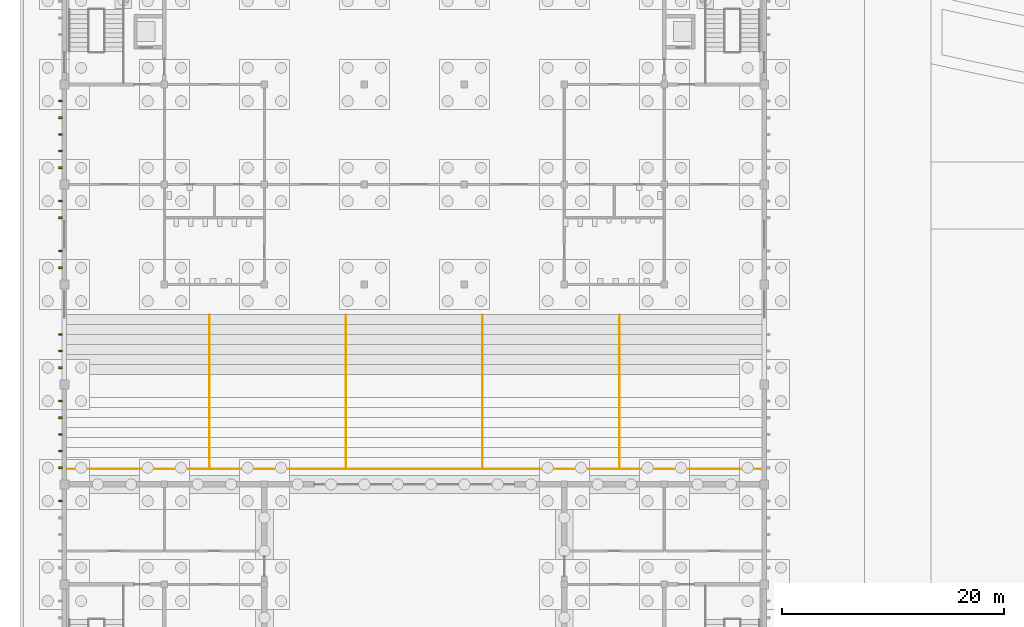
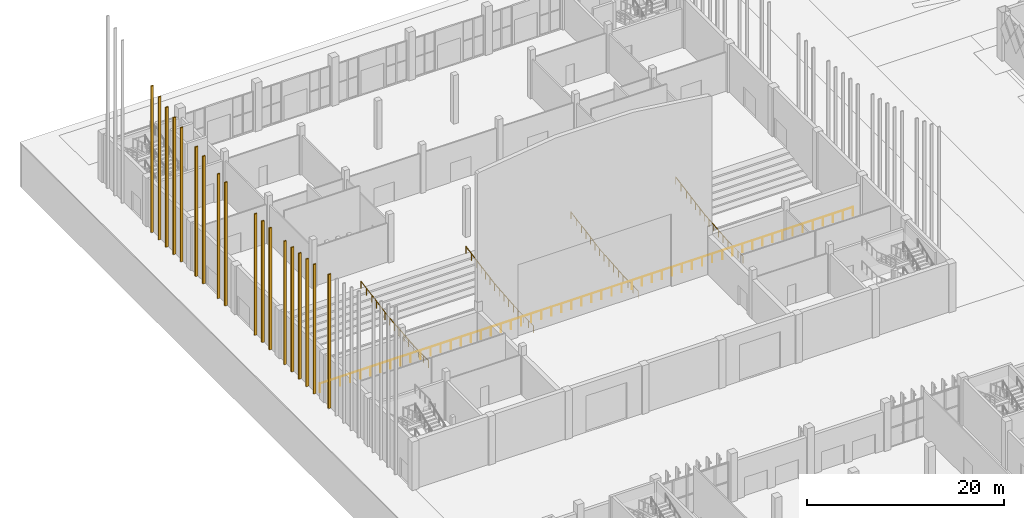
# One storey, part 166 of 198: 18 coverings, 5 railings.
"""IFC4 building model written with IfcOpenShell, lengths in metres."""

from ifc_helpers import new_model, si_unit, direction, frame, origin, origin_2d, place, context, subcontext, project, spatial, rectangle, circle, extrude, material, layer, layer_set, constituent, constituent_set, type_object, element, save


model = new_model("IFC4")

# Units and contexts
model_context = context("Model", 3, precision=1e-05, world=origin(), true_north=direction((0.0, 1.0)))
body_context = subcontext(model_context, "Body", "Model", "MODEL_VIEW")
ifc_project = project(units=[si_unit("LENGTHUNIT", "METRE"), si_unit("AREAUNIT", "SQUARE_METRE"), si_unit("VOLUMEUNIT", "CUBIC_METRE"), si_unit("PLANEANGLEUNIT", "RADIAN"), si_unit("MASSUNIT", "GRAM", prefix="KILO")], contexts=[model_context])

# Site, building, storey
site_placement = place(None, origin())
site = spatial("IfcSite", under=ifc_project, at=site_placement, CompositionType="ELEMENT")
building_placement = place(site_placement, origin())
building = spatial("IfcBuilding", under=site, at=building_placement, Name="Opaline Strait Convention Centre", CompositionType="ELEMENT")
storey_placement = place(building_placement, origin())
storey = spatial("IfcBuildingStorey", under=building, at=storey_placement, Name="L00", CompositionType="ELEMENT", Elevation=0.0)

# Railings
ifc_material_1 = material(Name="Stainless steel 304", Category="steel")
railing_type_1 = type_object("IfcRailingType", Name="Aisle handrail 900", PredefinedType="HANDRAIL", material=ifc_material_1)
railing_1_placement = place(storey_placement, frame((22.050048828125, 136.550048828125, -1.513916015625)))
element("IfcRailing", 1, at=railing_1_placement, inside=storey, type_object=railing_type_1, Name="PHR1 Stalls aisle 1 handrail", PredefinedType="HANDRAIL", context=body_context, shape_type="SweptSolid", body=[
    extrude(circle(Radius=0.02392578125, at=origin_2d()), frame((0.0, 0.0, 0.8759765625), z_axis=(0.0, 0.999956817911, 0.009293132591), x_axis=(-1.0, 0.0, 0.0)), (0.0, 0.0, 1.0), 3.10009765625),
    extrude(circle(Radius=0.02392578125, at=origin_2d()), frame((0.0, 3.099853515625, 0.90478515625), z_axis=(0.0, 0.996173176222, 0.08740139001), x_axis=(-1.0, 0.0, 0.0)), (0.0, 0.0, 1.0), 4.818603515625),
    extrude(circle(Radius=0.02392578125, at=origin_2d()), frame((0.0, 7.89990234375, 1.32568359375), z_axis=(0.0, 0.98321916049, 0.182428293985), x_axis=(-1.0, 0.0, 0.0)), (0.0, 0.0, 1.0), 3.66162109375),
    extrude(circle(Radius=0.02392578125, at=origin_2d()), frame((0.0, 11.5, 1.99365234375), z_axis=(0.0, 0.984182943118, 0.177155114165), x_axis=(-1.0, 0.0, 0.0)), (0.0, 0.0, 1.0), 2.2353515625),
    extrude(circle(Radius=0.02099609375, at=origin_2d()), origin(), (0.0, 0.0, 1.0), 0.851806640625),
    extrude(circle(Radius=0.02099609375, at=origin_2d()), frame((0.0, 1.033203125, 0.009521484375)), (0.0, 0.0, 1.0), 0.851806640625),
    extrude(circle(Radius=0.02099609375, at=origin_2d()), frame((0.0, 2.066650390625, 0.019287109375)), (0.0, 0.0, 1.0), 0.851806640625),
    extrude(circle(Radius=0.02099609375, at=origin_2d()), frame((0.0, 3.099853515625, 0.02880859375)), (0.0, 0.0, 1.0), 0.851806640625),
    extrude(circle(Radius=0.02099609375, at=origin_2d()), frame((0.0, 4.059814453125, 0.113037109375)), (0.0, 0.0, 1.0), 0.851806640625),
    extrude(circle(Radius=0.02099609375, at=origin_2d()), frame((0.0, 5.019775390625, 0.197265625)), (0.0, 0.0, 1.0), 0.851806640625),
    extrude(circle(Radius=0.02099609375, at=origin_2d()), frame((0.0, 5.97998046875, 0.281494140625)), (0.0, 0.0, 1.0), 0.851806640625),
    extrude(circle(Radius=0.02099609375, at=origin_2d()), frame((0.0, 6.93994140625, 0.36572265625)), (0.0, 0.0, 1.0), 0.851806640625),
    extrude(circle(Radius=0.02099609375, at=origin_2d()), frame((0.0, 7.89990234375, 0.449951171875)), (0.0, 0.0, 1.0), 0.851806640625),
    extrude(circle(Radius=0.02099609375, at=origin_2d()), frame((0.0, 8.7998046875, 0.616943359375)), (0.0, 0.0, 1.0), 0.851806640625),
    extrude(circle(Radius=0.02099609375, at=origin_2d()), frame((0.0, 9.699951171875, 0.783935546875)), (0.0, 0.0, 1.0), 0.851806640625),
    extrude(circle(Radius=0.02099609375, at=origin_2d()), frame((0.0, 10.60009765625, 0.950927734375)), (0.0, 0.0, 1.0), 0.851806640625),
    extrude(circle(Radius=0.02099609375, at=origin_2d()), frame((0.0, 11.5, 1.117919921875)), (0.0, 0.0, 1.0), 0.851806640625),
    extrude(circle(Radius=0.02099609375, at=origin_2d()), frame((0.0, 12.60009765625, 1.31591796875)), (0.0, 0.0, 1.0), 0.851806640625),
    extrude(circle(Radius=0.02099609375, at=origin_2d()), frame((0.0, 13.699951171875, 1.513916015625)), (0.0, 0.0, 1.0), 0.851806640625),
])
railing_2_placement = place(storey_placement, frame((34.35009765625, 136.550048828125, -1.513916015625)))
element("IfcRailing", 2, at=railing_2_placement, inside=storey, type_object=railing_type_1, Name="PHR1 Stalls aisle 2 handrail", PredefinedType="HANDRAIL", context=body_context, shape_type="SweptSolid", body=[
    extrude(circle(Radius=0.02392578125, at=origin_2d()), frame((0.0, 0.0, 0.8759765625), z_axis=(0.0, 0.999956817911, 0.009293132591), x_axis=(-1.0, 0.0, 0.0)), (0.0, 0.0, 1.0), 3.10009765625),
    extrude(circle(Radius=0.02392578125, at=origin_2d()), frame((0.0, 3.099853515625, 0.90478515625), z_axis=(0.0, 0.996173176222, 0.08740139001), x_axis=(-1.0, 0.0, 0.0)), (0.0, 0.0, 1.0), 4.818603515625),
    extrude(circle(Radius=0.02392578125, at=origin_2d()), frame((0.0, 7.89990234375, 1.32568359375), z_axis=(0.0, 0.98321916049, 0.182428293985), x_axis=(-1.0, 0.0, 0.0)), (0.0, 0.0, 1.0), 3.66162109375),
    extrude(circle(Radius=0.02392578125, at=origin_2d()), frame((0.0, 11.5, 1.99365234375), z_axis=(0.0, 0.984182943118, 0.177155114165), x_axis=(-1.0, 0.0, 0.0)), (0.0, 0.0, 1.0), 2.2353515625),
    extrude(circle(Radius=0.02099609375, at=origin_2d()), origin(), (0.0, 0.0, 1.0), 0.851806640625),
    extrude(circle(Radius=0.02099609375, at=origin_2d()), frame((0.0, 1.033203125, 0.009521484375)), (0.0, 0.0, 1.0), 0.851806640625),
    extrude(circle(Radius=0.02099609375, at=origin_2d()), frame((0.0, 2.066650390625, 0.019287109375)), (0.0, 0.0, 1.0), 0.851806640625),
    extrude(circle(Radius=0.02099609375, at=origin_2d()), frame((0.0, 3.099853515625, 0.02880859375)), (0.0, 0.0, 1.0), 0.851806640625),
    extrude(circle(Radius=0.02099609375, at=origin_2d()), frame((0.0, 4.059814453125, 0.113037109375)), (0.0, 0.0, 1.0), 0.851806640625),
    extrude(circle(Radius=0.02099609375, at=origin_2d()), frame((0.0, 5.019775390625, 0.197265625)), (0.0, 0.0, 1.0), 0.851806640625),
    extrude(circle(Radius=0.02099609375, at=origin_2d()), frame((0.0, 5.97998046875, 0.281494140625)), (0.0, 0.0, 1.0), 0.851806640625),
    extrude(circle(Radius=0.02099609375, at=origin_2d()), frame((0.0, 6.93994140625, 0.36572265625)), (0.0, 0.0, 1.0), 0.851806640625),
    extrude(circle(Radius=0.02099609375, at=origin_2d()), frame((0.0, 7.89990234375, 0.449951171875)), (0.0, 0.0, 1.0), 0.851806640625),
    extrude(circle(Radius=0.02099609375, at=origin_2d()), frame((0.0, 8.7998046875, 0.616943359375)), (0.0, 0.0, 1.0), 0.851806640625),
    extrude(circle(Radius=0.02099609375, at=origin_2d()), frame((0.0, 9.699951171875, 0.783935546875)), (0.0, 0.0, 1.0), 0.851806640625),
    extrude(circle(Radius=0.02099609375, at=origin_2d()), frame((0.0, 10.60009765625, 0.950927734375)), (0.0, 0.0, 1.0), 0.851806640625),
    extrude(circle(Radius=0.02099609375, at=origin_2d()), frame((0.0, 11.5, 1.117919921875)), (0.0, 0.0, 1.0), 0.851806640625),
    extrude(circle(Radius=0.02099609375, at=origin_2d()), frame((0.0, 12.60009765625, 1.31591796875)), (0.0, 0.0, 1.0), 0.851806640625),
    extrude(circle(Radius=0.02099609375, at=origin_2d()), frame((0.0, 13.699951171875, 1.513916015625)), (0.0, 0.0, 1.0), 0.851806640625),
])
railing_3_placement = place(storey_placement, frame((46.64990234375, 136.550048828125, -1.513916015625)))
element("IfcRailing", 3, at=railing_3_placement, inside=storey, type_object=railing_type_1, Name="PHR1 Stalls aisle 3 handrail", PredefinedType="HANDRAIL", context=body_context, shape_type="SweptSolid", body=[
    extrude(circle(Radius=0.02392578125, at=origin_2d()), frame((0.0, 0.0, 0.8759765625), z_axis=(0.0, 0.999956817911, 0.009293132591), x_axis=(-1.0, 0.0, 0.0)), (0.0, 0.0, 1.0), 3.10009765625),
    extrude(circle(Radius=0.02392578125, at=origin_2d()), frame((0.0, 3.099853515625, 0.90478515625), z_axis=(0.0, 0.996173176222, 0.08740139001), x_axis=(-1.0, 0.0, 0.0)), (0.0, 0.0, 1.0), 4.818603515625),
    extrude(circle(Radius=0.02392578125, at=origin_2d()), frame((0.0, 7.89990234375, 1.32568359375), z_axis=(0.0, 0.98321916049, 0.182428293985), x_axis=(-1.0, 0.0, 0.0)), (0.0, 0.0, 1.0), 3.66162109375),
    extrude(circle(Radius=0.02392578125, at=origin_2d()), frame((0.0, 11.5, 1.99365234375), z_axis=(0.0, 0.984182943118, 0.177155114165), x_axis=(-1.0, 0.0, 0.0)), (0.0, 0.0, 1.0), 2.2353515625),
    extrude(circle(Radius=0.02099609375, at=origin_2d()), origin(), (0.0, 0.0, 1.0), 0.851806640625),
    extrude(circle(Radius=0.02099609375, at=origin_2d()), frame((0.0, 1.033203125, 0.009521484375)), (0.0, 0.0, 1.0), 0.851806640625),
    extrude(circle(Radius=0.02099609375, at=origin_2d()), frame((0.0, 2.066650390625, 0.019287109375)), (0.0, 0.0, 1.0), 0.851806640625),
    extrude(circle(Radius=0.02099609375, at=origin_2d()), frame((0.0, 3.099853515625, 0.02880859375)), (0.0, 0.0, 1.0), 0.851806640625),
    extrude(circle(Radius=0.02099609375, at=origin_2d()), frame((0.0, 4.059814453125, 0.113037109375)), (0.0, 0.0, 1.0), 0.851806640625),
    extrude(circle(Radius=0.02099609375, at=origin_2d()), frame((0.0, 5.019775390625, 0.197265625)), (0.0, 0.0, 1.0), 0.851806640625),
    extrude(circle(Radius=0.02099609375, at=origin_2d()), frame((0.0, 5.97998046875, 0.281494140625)), (0.0, 0.0, 1.0), 0.851806640625),
    extrude(circle(Radius=0.02099609375, at=origin_2d()), frame((0.0, 6.93994140625, 0.36572265625)), (0.0, 0.0, 1.0), 0.851806640625),
    extrude(circle(Radius=0.02099609375, at=origin_2d()), frame((0.0, 7.89990234375, 0.449951171875)), (0.0, 0.0, 1.0), 0.851806640625),
    extrude(circle(Radius=0.02099609375, at=origin_2d()), frame((0.0, 8.7998046875, 0.616943359375)), (0.0, 0.0, 1.0), 0.851806640625),
    extrude(circle(Radius=0.02099609375, at=origin_2d()), frame((0.0, 9.699951171875, 0.783935546875)), (0.0, 0.0, 1.0), 0.851806640625),
    extrude(circle(Radius=0.02099609375, at=origin_2d()), frame((0.0, 10.60009765625, 0.950927734375)), (0.0, 0.0, 1.0), 0.851806640625),
    extrude(circle(Radius=0.02099609375, at=origin_2d()), frame((0.0, 11.5, 1.117919921875)), (0.0, 0.0, 1.0), 0.851806640625),
    extrude(circle(Radius=0.02099609375, at=origin_2d()), frame((0.0, 12.60009765625, 1.31591796875)), (0.0, 0.0, 1.0), 0.851806640625),
    extrude(circle(Radius=0.02099609375, at=origin_2d()), frame((0.0, 13.699951171875, 1.513916015625)), (0.0, 0.0, 1.0), 0.851806640625),
])
railing_4_placement = place(storey_placement, frame((58.949951171875, 136.550048828125, -1.513916015625)))
element("IfcRailing", 4, at=railing_4_placement, inside=storey, type_object=railing_type_1, Name="PHR1 Stalls aisle 4 handrail", PredefinedType="HANDRAIL", context=body_context, shape_type="SweptSolid", body=[
    extrude(circle(Radius=0.02392578125, at=origin_2d()), frame((0.0, 0.0, 0.8759765625), z_axis=(0.0, 0.999956817911, 0.009293132591), x_axis=(-1.0, 0.0, 0.0)), (0.0, 0.0, 1.0), 3.10009765625),
    extrude(circle(Radius=0.02392578125, at=origin_2d()), frame((0.0, 3.099853515625, 0.90478515625), z_axis=(0.0, 0.996173176222, 0.08740139001), x_axis=(-1.0, 0.0, 0.0)), (0.0, 0.0, 1.0), 4.818603515625),
    extrude(circle(Radius=0.02392578125, at=origin_2d()), frame((0.0, 7.89990234375, 1.32568359375), z_axis=(0.0, 0.98321916049, 0.182428293985), x_axis=(-1.0, 0.0, 0.0)), (0.0, 0.0, 1.0), 3.66162109375),
    extrude(circle(Radius=0.02392578125, at=origin_2d()), frame((0.0, 11.5, 1.99365234375), z_axis=(0.0, 0.984182943118, 0.177155114165), x_axis=(-1.0, 0.0, 0.0)), (0.0, 0.0, 1.0), 2.2353515625),
    extrude(circle(Radius=0.02099609375, at=origin_2d()), origin(), (0.0, 0.0, 1.0), 0.851806640625),
    extrude(circle(Radius=0.02099609375, at=origin_2d()), frame((0.0, 1.033203125, 0.009521484375)), (0.0, 0.0, 1.0), 0.851806640625),
    extrude(circle(Radius=0.02099609375, at=origin_2d()), frame((0.0, 2.066650390625, 0.019287109375)), (0.0, 0.0, 1.0), 0.851806640625),
    extrude(circle(Radius=0.02099609375, at=origin_2d()), frame((0.0, 3.099853515625, 0.02880859375)), (0.0, 0.0, 1.0), 0.851806640625),
    extrude(circle(Radius=0.02099609375, at=origin_2d()), frame((0.0, 4.059814453125, 0.113037109375)), (0.0, 0.0, 1.0), 0.851806640625),
    extrude(circle(Radius=0.02099609375, at=origin_2d()), frame((0.0, 5.019775390625, 0.197265625)), (0.0, 0.0, 1.0), 0.851806640625),
    extrude(circle(Radius=0.02099609375, at=origin_2d()), frame((0.0, 5.97998046875, 0.281494140625)), (0.0, 0.0, 1.0), 0.851806640625),
    extrude(circle(Radius=0.02099609375, at=origin_2d()), frame((0.0, 6.93994140625, 0.36572265625)), (0.0, 0.0, 1.0), 0.851806640625),
    extrude(circle(Radius=0.02099609375, at=origin_2d()), frame((0.0, 7.89990234375, 0.449951171875)), (0.0, 0.0, 1.0), 0.851806640625),
    extrude(circle(Radius=0.02099609375, at=origin_2d()), frame((0.0, 8.7998046875, 0.616943359375)), (0.0, 0.0, 1.0), 0.851806640625),
    extrude(circle(Radius=0.02099609375, at=origin_2d()), frame((0.0, 9.699951171875, 0.783935546875)), (0.0, 0.0, 1.0), 0.851806640625),
    extrude(circle(Radius=0.02099609375, at=origin_2d()), frame((0.0, 10.60009765625, 0.950927734375)), (0.0, 0.0, 1.0), 0.851806640625),
    extrude(circle(Radius=0.02099609375, at=origin_2d()), frame((0.0, 11.5, 1.117919921875)), (0.0, 0.0, 1.0), 0.851806640625),
    extrude(circle(Radius=0.02099609375, at=origin_2d()), frame((0.0, 12.60009765625, 1.31591796875)), (0.0, 0.0, 1.0), 0.851806640625),
    extrude(circle(Radius=0.02099609375, at=origin_2d()), frame((0.0, 13.699951171875, 1.513916015625)), (0.0, 0.0, 1.0), 0.851806640625),
])

# Coverings
ifc_material_2 = material(Name="Glass fibre reinforced concrete, white", Category="concrete")
ifc_layer = layer(ifc_material_2, 0.300048828125)
ifc_layer_set = layer_set([ifc_layer], Name="Glass fibre reinforced concrete, white")
covering_type = type_object("IfcCoveringType", Name="GRC rib 150 x 300", PredefinedType="CLADDING", material=ifc_layer_set)
covering_1_placement = place(storey_placement, frame((8.64990234375, 133.5, 0.0), z_axis=(0.0, 0.0, 1.0), x_axis=(1.0, 0.0, 0.0)))
element("IfcCovering", 5, at=covering_1_placement, inside=storey, type_object=covering_type, Name="PX1 rib west 11", PredefinedType="CLADDING", context=body_context, shape_type="SweptSolid", body=[
    extrude(rectangle(XDim=0.300048828125, YDim=0.14990234375, at=origin_2d()), origin(), (0.0, 0.0, 1.0), 16.627197265625),
])
covering_2_placement = place(storey_placement, frame((8.64990234375, 136.5, 0.0), z_axis=(0.0, 0.0, 1.0), x_axis=(1.0, 0.0, 0.0)))
element("IfcCovering", 6, at=covering_2_placement, inside=storey, type_object=covering_type, Name="PX1 rib west 13", PredefinedType="CLADDING", context=body_context, shape_type="SweptSolid", body=[
    extrude(rectangle(XDim=0.300048828125, YDim=0.14990234375, at=origin_2d()), origin(), (0.0, 0.0, 1.0), 16.055908203125),
])
covering_3_placement = place(storey_placement, frame((8.64990234375, 138.0, 0.0), z_axis=(0.0, 0.0, 1.0), x_axis=(1.0, 0.0, 0.0)))
element("IfcCovering", 7, at=covering_3_placement, inside=storey, type_object=covering_type, Name="PX1 rib west 14", PredefinedType="CLADDING", context=body_context, shape_type="SweptSolid", body=[
    extrude(rectangle(XDim=0.300048828125, YDim=0.14990234375, at=origin_2d()), origin(), (0.0, 0.0, 1.0), 15.81787109375),
])
covering_4_placement = place(storey_placement, frame((8.64990234375, 139.5, 0.0), z_axis=(0.0, 0.0, 1.0), x_axis=(1.0, 0.0, 0.0)))
element("IfcCovering", 8, at=covering_4_placement, inside=storey, type_object=covering_type, Name="PX1 rib west 15", PredefinedType="CLADDING", context=body_context, shape_type="SweptSolid", body=[
    extrude(rectangle(XDim=0.300048828125, YDim=0.14990234375, at=origin_2d()), origin(), (0.0, 0.0, 1.0), 15.611328125),
])
covering_5_placement = place(storey_placement, frame((8.64990234375, 141.0, 0.0), z_axis=(0.0, 0.0, 1.0), x_axis=(1.0, 0.0, 0.0)))
element("IfcCovering", 9, at=covering_5_placement, inside=storey, type_object=covering_type, Name="PX1 rib west 16", PredefinedType="CLADDING", context=body_context, shape_type="SweptSolid", body=[
    extrude(rectangle(XDim=0.300048828125, YDim=0.14990234375, at=origin_2d()), origin(), (0.0, 0.0, 1.0), 15.436767578125),
])
covering_6_placement = place(storey_placement, frame((8.64990234375, 142.5, 0.0), z_axis=(0.0, 0.0, 1.0), x_axis=(1.0, 0.0, 0.0)))
element("IfcCovering", 10, at=covering_6_placement, inside=storey, type_object=covering_type, Name="PX1 rib west 17", PredefinedType="CLADDING", context=body_context, shape_type="SweptSolid", body=[
    extrude(rectangle(XDim=0.300048828125, YDim=0.14990234375, at=origin_2d()), origin(), (0.0, 0.0, 1.0), 15.2939453125),
])
covering_7_placement = place(storey_placement, frame((8.64990234375, 145.5, 0.0), z_axis=(0.0, 0.0, 1.0), x_axis=(1.0, 0.0, 0.0)))
element("IfcCovering", 11, at=covering_7_placement, inside=storey, type_object=covering_type, Name="PX1 rib west 19", PredefinedType="CLADDING", context=body_context, shape_type="SweptSolid", body=[
    extrude(rectangle(XDim=0.300048828125, YDim=0.14990234375, at=origin_2d()), origin(), (0.0, 0.0, 1.0), 15.103515625),
])
covering_8_placement = place(storey_placement, frame((8.64990234375, 147.0, 0.0), z_axis=(0.0, 0.0, 1.0), x_axis=(1.0, 0.0, 0.0)))
element("IfcCovering", 12, at=covering_8_placement, inside=storey, type_object=covering_type, Name="PX1 rib west 20", PredefinedType="CLADDING", context=body_context, shape_type="SweptSolid", body=[
    extrude(rectangle(XDim=0.300048828125, YDim=0.14990234375, at=origin_2d()), origin(), (0.0, 0.0, 1.0), 15.055908203125),
])
covering_9_placement = place(storey_placement, frame((8.64990234375, 148.5, 0.0), z_axis=(0.0, 0.0, 1.0), x_axis=(1.0, 0.0, 0.0)))
element("IfcCovering", 13, at=covering_9_placement, inside=storey, type_object=covering_type, Name="PX1 rib west 21", PredefinedType="CLADDING", context=body_context, shape_type="SweptSolid", body=[
    extrude(rectangle(XDim=0.300048828125, YDim=0.14990234375, at=origin_2d()), origin(), (0.0, 0.0, 1.0), 15.0400390625),
])
covering_10_placement = place(storey_placement, frame((8.64990234375, 154.5, 0.0), z_axis=(0.0, 0.0, 1.0), x_axis=(1.0, 0.0, 0.0)))
element("IfcCovering", 14, at=covering_10_placement, inside=storey, type_object=covering_type, Name="PX1 rib west 25", PredefinedType="CLADDING", context=body_context, shape_type="SweptSolid", body=[
    extrude(rectangle(XDim=0.300048828125, YDim=0.14990234375, at=origin_2d()), origin(), (0.0, 0.0, 1.0), 15.2939453125),
])
covering_11_placement = place(storey_placement, frame((8.64990234375, 156.0, 0.0), z_axis=(0.0, 0.0, 1.0), x_axis=(1.0, 0.0, 0.0)))
element("IfcCovering", 15, at=covering_11_placement, inside=storey, type_object=covering_type, Name="PX1 rib west 26", PredefinedType="CLADDING", context=body_context, shape_type="SweptSolid", body=[
    extrude(rectangle(XDim=0.300048828125, YDim=0.14990234375, at=origin_2d()), origin(), (0.0, 0.0, 1.0), 15.436767578125),
])
covering_12_placement = place(storey_placement, frame((8.64990234375, 159.0, 0.0), z_axis=(0.0, 0.0, 1.0), x_axis=(1.0, 0.0, 0.0)))
element("IfcCovering", 16, at=covering_12_placement, inside=storey, type_object=covering_type, Name="PX1 rib west 28", PredefinedType="CLADDING", context=body_context, shape_type="SweptSolid", body=[
    extrude(rectangle(XDim=0.300048828125, YDim=0.14990234375, at=origin_2d()), origin(), (0.0, 0.0, 1.0), 15.81787109375),
])
covering_13_placement = place(storey_placement, frame((8.64990234375, 160.5, 0.0), z_axis=(0.0, 0.0, 1.0), x_axis=(1.0, 0.0, 0.0)))
element("IfcCovering", 17, at=covering_13_placement, inside=storey, type_object=covering_type, Name="PX1 rib west 29", PredefinedType="CLADDING", context=body_context, shape_type="SweptSolid", body=[
    extrude(rectangle(XDim=0.300048828125, YDim=0.14990234375, at=origin_2d()), origin(), (0.0, 0.0, 1.0), 16.055908203125),
])
covering_14_placement = place(storey_placement, frame((8.64990234375, 163.5, 0.0), z_axis=(0.0, 0.0, 1.0), x_axis=(1.0, 0.0, 0.0)))
element("IfcCovering", 18, at=covering_14_placement, inside=storey, type_object=covering_type, Name="PX1 rib west 31", PredefinedType="CLADDING", context=body_context, shape_type="SweptSolid", body=[
    extrude(rectangle(XDim=0.300048828125, YDim=0.14990234375, at=origin_2d()), origin(), (0.0, 0.0, 1.0), 16.627197265625),
])
covering_15_placement = place(storey_placement, frame((8.64990234375, 165.0, 0.0), z_axis=(0.0, 0.0, 1.0), x_axis=(1.0, 0.0, 0.0)))
element("IfcCovering", 19, at=covering_15_placement, inside=storey, type_object=covering_type, Name="PX1 rib west 32", PredefinedType="CLADDING", context=body_context, shape_type="SweptSolid", body=[
    extrude(rectangle(XDim=0.300048828125, YDim=0.14990234375, at=origin_2d()), origin(), (0.0, 0.0, 1.0), 16.960693359375),
])
covering_16_placement = place(storey_placement, frame((8.64990234375, 166.5, 0.0), z_axis=(0.0, 0.0, 1.0), x_axis=(1.0, 0.0, 0.0)))
element("IfcCovering", 20, at=covering_16_placement, inside=storey, type_object=covering_type, Name="PX1 rib west 33", PredefinedType="CLADDING", context=body_context, shape_type="SweptSolid", body=[
    extrude(rectangle(XDim=0.300048828125, YDim=0.14990234375, at=origin_2d()), origin(), (0.0, 0.0, 1.0), 17.32568359375),
])
covering_17_placement = place(storey_placement, frame((8.64990234375, 168.0, 0.0), z_axis=(0.0, 0.0, 1.0), x_axis=(1.0, 0.0, 0.0)))
element("IfcCovering", 21, at=covering_17_placement, inside=storey, type_object=covering_type, Name="PX1 rib west 34", PredefinedType="CLADDING", context=body_context, shape_type="SweptSolid", body=[
    extrude(rectangle(XDim=0.300048828125, YDim=0.14990234375, at=origin_2d()), origin(), (0.0, 0.0, 1.0), 17.722412109375),
])
covering_18_placement = place(storey_placement, frame((8.64990234375, 169.5, 0.0), z_axis=(0.0, 0.0, 1.0), x_axis=(1.0, 0.0, 0.0)))
element("IfcCovering", 22, at=covering_18_placement, inside=storey, type_object=covering_type, Name="PX1 rib west 35", PredefinedType="CLADDING", context=body_context, shape_type="SweptSolid", body=[
    extrude(rectangle(XDim=0.300048828125, YDim=0.14990234375, at=origin_2d()), origin(), (0.0, 0.0, 1.0), 18.151123046875),
])

# Railing
ifc_material_3 = material(Name="Steel Q355B", Category="steel")
ifc_constituent_1 = constituent(ifc_material_3, Name="Frame")
ifc_material_4 = material(Name="Safety glass, bonded interlayer", Category="glass")
ifc_constituent_2 = constituent(ifc_material_4, Name="Infill")
ifc_constituent_set = constituent_set(constituents=[ifc_constituent_1, ifc_constituent_2], Name="Steel Q355B, Safety glass, bonded interlayer")
railing_type_2 = type_object("IfcRailingType", Name="Seating guard 1100 steel and glass", PredefinedType="GUARDRAIL", material=ifc_constituent_set)
railing_5_placement = place(storey_placement, frame((9.25, 136.39990234375, 0.0)))
element("IfcRailing", 23, at=railing_5_placement, inside=storey, type_object=railing_type_2, Name="PGD1 orchestra rail at the apron", PredefinedType="GUARDRAIL", context=body_context, shape_type="SweptSolid", body=[
    extrude(circle(Radius=0.02392578125, at=origin_2d()), frame((0.0, 0.0, 1.076171875), z_axis=(1.0, 0.0, 0.0), x_axis=(0.0, 1.0, 0.0)), (0.0, 0.0, 1.0), 62.5),
    extrude(circle(Radius=0.02099609375, at=origin_2d()), origin(), (0.0, 0.0, 1.0), 1.052001953125),
    extrude(circle(Radius=0.02099609375, at=origin_2d()), frame((1.17919921875, 0.0, 0.0)), (0.0, 0.0, 1.0), 1.052001953125),
    extrude(circle(Radius=0.02099609375, at=origin_2d()), frame((2.3583984375, 0.0, 0.0)), (0.0, 0.0, 1.0), 1.052001953125),
    extrude(circle(Radius=0.02099609375, at=origin_2d()), frame((3.537841796875, 0.0, 0.0)), (0.0, 0.0, 1.0), 1.052001953125),
    extrude(circle(Radius=0.02099609375, at=origin_2d()), frame((4.717041015625, 0.0, 0.0)), (0.0, 0.0, 1.0), 1.052001953125),
    extrude(circle(Radius=0.02099609375, at=origin_2d()), frame((5.896240234375, 0.0, 0.0)), (0.0, 0.0, 1.0), 1.052001953125),
    extrude(circle(Radius=0.02099609375, at=origin_2d()), frame((7.075439453125, 0.0, 0.0)), (0.0, 0.0, 1.0), 1.052001953125),
    extrude(circle(Radius=0.02099609375, at=origin_2d()), frame((8.254638671875, 0.0, 0.0)), (0.0, 0.0, 1.0), 1.052001953125),
    extrude(circle(Radius=0.02099609375, at=origin_2d()), frame((9.43408203125, 0.0, 0.0)), (0.0, 0.0, 1.0), 1.052001953125),
    extrude(circle(Radius=0.02099609375, at=origin_2d()), frame((10.61328125, 0.0, 0.0)), (0.0, 0.0, 1.0), 1.052001953125),
    extrude(circle(Radius=0.02099609375, at=origin_2d()), frame((11.79248046875, 0.0, 0.0)), (0.0, 0.0, 1.0), 1.052001953125),
    extrude(circle(Radius=0.02099609375, at=origin_2d()), frame((12.9716796875, 0.0, 0.0)), (0.0, 0.0, 1.0), 1.052001953125),
    extrude(circle(Radius=0.02099609375, at=origin_2d()), frame((14.15087890625, 0.0, 0.0)), (0.0, 0.0, 1.0), 1.052001953125),
    extrude(circle(Radius=0.02099609375, at=origin_2d()), frame((15.330078125, 0.0, 0.0)), (0.0, 0.0, 1.0), 1.052001953125),
    extrude(circle(Radius=0.02099609375, at=origin_2d()), frame((16.509521484375, 0.0, 0.0)), (0.0, 0.0, 1.0), 1.052001953125),
    extrude(circle(Radius=0.02099609375, at=origin_2d()), frame((17.688720703125, 0.0, 0.0)), (0.0, 0.0, 1.0), 1.052001953125),
    extrude(circle(Radius=0.02099609375, at=origin_2d()), frame((18.867919921875, 0.0, 0.0)), (0.0, 0.0, 1.0), 1.052001953125),
    extrude(circle(Radius=0.02099609375, at=origin_2d()), frame((20.047119140625, 0.0, 0.0)), (0.0, 0.0, 1.0), 1.052001953125),
    extrude(circle(Radius=0.02099609375, at=origin_2d()), frame((21.226318359375, 0.0, 0.0)), (0.0, 0.0, 1.0), 1.052001953125),
    extrude(circle(Radius=0.02099609375, at=origin_2d()), frame((22.40576171875, 0.0, 0.0)), (0.0, 0.0, 1.0), 1.052001953125),
    extrude(circle(Radius=0.02099609375, at=origin_2d()), frame((23.5849609375, 0.0, 0.0)), (0.0, 0.0, 1.0), 1.052001953125),
    extrude(circle(Radius=0.02099609375, at=origin_2d()), frame((24.76416015625, 0.0, 0.0)), (0.0, 0.0, 1.0), 1.052001953125),
    extrude(circle(Radius=0.02099609375, at=origin_2d()), frame((25.943359375, 0.0, 0.0)), (0.0, 0.0, 1.0), 1.052001953125),
    extrude(circle(Radius=0.02099609375, at=origin_2d()), frame((27.12255859375, 0.0, 0.0)), (0.0, 0.0, 1.0), 1.052001953125),
    extrude(circle(Radius=0.02099609375, at=origin_2d()), frame((28.302001953125, 0.0, 0.0)), (0.0, 0.0, 1.0), 1.052001953125),
    extrude(circle(Radius=0.02099609375, at=origin_2d()), frame((29.481201171875, 0.0, 0.0)), (0.0, 0.0, 1.0), 1.052001953125),
    extrude(circle(Radius=0.02099609375, at=origin_2d()), frame((30.660400390625, 0.0, 0.0)), (0.0, 0.0, 1.0), 1.052001953125),
    extrude(circle(Radius=0.02099609375, at=origin_2d()), frame((31.839599609375, 0.0, 0.0)), (0.0, 0.0, 1.0), 1.052001953125),
    extrude(circle(Radius=0.02099609375, at=origin_2d()), frame((33.018798828125, 0.0, 0.0)), (0.0, 0.0, 1.0), 1.052001953125),
    extrude(circle(Radius=0.02099609375, at=origin_2d()), frame((34.197998046875, 0.0, 0.0)), (0.0, 0.0, 1.0), 1.052001953125),
    extrude(circle(Radius=0.02099609375, at=origin_2d()), frame((35.37744140625, 0.0, 0.0)), (0.0, 0.0, 1.0), 1.052001953125),
    extrude(circle(Radius=0.02099609375, at=origin_2d()), frame((36.556640625, 0.0, 0.0)), (0.0, 0.0, 1.0), 1.052001953125),
    extrude(circle(Radius=0.02099609375, at=origin_2d()), frame((37.73583984375, 0.0, 0.0)), (0.0, 0.0, 1.0), 1.052001953125),
    extrude(circle(Radius=0.02099609375, at=origin_2d()), frame((38.9150390625, 0.0, 0.0)), (0.0, 0.0, 1.0), 1.052001953125),
    extrude(circle(Radius=0.02099609375, at=origin_2d()), frame((40.09423828125, 0.0, 0.0)), (0.0, 0.0, 1.0), 1.052001953125),
    extrude(circle(Radius=0.02099609375, at=origin_2d()), frame((41.273681640625, 0.0, 0.0)), (0.0, 0.0, 1.0), 1.052001953125),
    extrude(circle(Radius=0.02099609375, at=origin_2d()), frame((42.452880859375, 0.0, 0.0)), (0.0, 0.0, 1.0), 1.052001953125),
    extrude(circle(Radius=0.02099609375, at=origin_2d()), frame((43.632080078125, 0.0, 0.0)), (0.0, 0.0, 1.0), 1.052001953125),
    extrude(circle(Radius=0.02099609375, at=origin_2d()), frame((44.811279296875, 0.0, 0.0)), (0.0, 0.0, 1.0), 1.052001953125),
    extrude(circle(Radius=0.02099609375, at=origin_2d()), frame((45.990478515625, 0.0, 0.0)), (0.0, 0.0, 1.0), 1.052001953125),
    extrude(circle(Radius=0.02099609375, at=origin_2d()), frame((47.169921875, 0.0, 0.0)), (0.0, 0.0, 1.0), 1.052001953125),
    extrude(circle(Radius=0.02099609375, at=origin_2d()), frame((48.34912109375, 0.0, 0.0)), (0.0, 0.0, 1.0), 1.052001953125),
    extrude(circle(Radius=0.02099609375, at=origin_2d()), frame((49.5283203125, 0.0, 0.0)), (0.0, 0.0, 1.0), 1.052001953125),
    extrude(circle(Radius=0.02099609375, at=origin_2d()), frame((50.70751953125, 0.0, 0.0)), (0.0, 0.0, 1.0), 1.052001953125),
    extrude(circle(Radius=0.02099609375, at=origin_2d()), frame((51.88671875, 0.0, 0.0)), (0.0, 0.0, 1.0), 1.052001953125),
    extrude(circle(Radius=0.02099609375, at=origin_2d()), frame((53.06591796875, 0.0, 0.0)), (0.0, 0.0, 1.0), 1.052001953125),
    extrude(circle(Radius=0.02099609375, at=origin_2d()), frame((54.245361328125, 0.0, 0.0)), (0.0, 0.0, 1.0), 1.052001953125),
    extrude(circle(Radius=0.02099609375, at=origin_2d()), frame((55.424560546875, 0.0, 0.0)), (0.0, 0.0, 1.0), 1.052001953125),
    extrude(circle(Radius=0.02099609375, at=origin_2d()), frame((56.603759765625, 0.0, 0.0)), (0.0, 0.0, 1.0), 1.052001953125),
    extrude(circle(Radius=0.02099609375, at=origin_2d()), frame((57.782958984375, 0.0, 0.0)), (0.0, 0.0, 1.0), 1.052001953125),
    extrude(circle(Radius=0.02099609375, at=origin_2d()), frame((58.962158203125, 0.0, 0.0)), (0.0, 0.0, 1.0), 1.052001953125),
    extrude(circle(Radius=0.02099609375, at=origin_2d()), frame((60.1416015625, 0.0, 0.0)), (0.0, 0.0, 1.0), 1.052001953125),
    extrude(circle(Radius=0.02099609375, at=origin_2d()), frame((61.32080078125, 0.0, 0.0)), (0.0, 0.0, 1.0), 1.052001953125),
    extrude(circle(Radius=0.02099609375, at=origin_2d()), frame((62.5, 0.0, 0.0)), (0.0, 0.0, 1.0), 1.052001953125),
])

save(model, "model.ifc")
